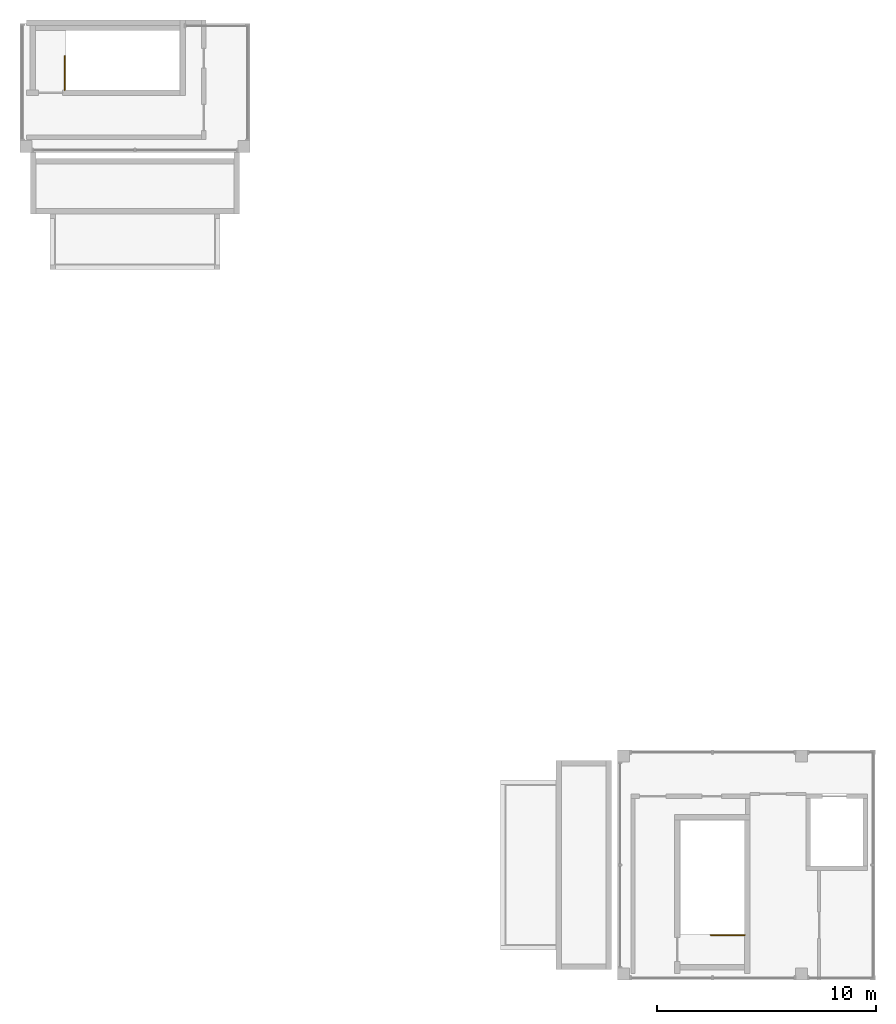
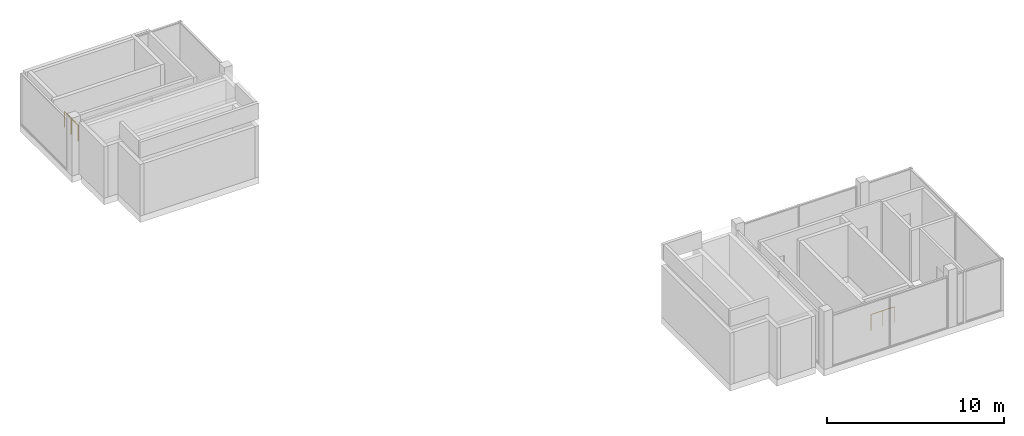
# One storey, part 6 of 6: 2 railings.
"""IFC4 building model written with IfcOpenShell, lengths in metres."""

import ifcopenshell
import ifcopenshell.guid

model = None  # the IFC model being written
_history = None  # IfcOwnerHistory: only IFC2X3 demands one
_inside = {}  # id of a spatial element -> (the spatial element, [elements in it])
_under = {}  # id of a project, library or spatial element -> (it, [spatial elements below it])
_declared = {}  # id of a project -> (the project, [libraries it declares])
_typed = {}  # id of a type object -> (the type object, [elements of that type])
_made_of = {}  # id of a material, layer set ... -> (it, [elements and type objects made of it])


def new_model(schema):
    """Start an empty IFC model of exactly this schema.

    Asked for "IFC4X3", IfcOpenShell would pick the latest addendum, in which some entities
    have other attributes; the version numbers below select the first issue.
    IFC2X3 requires an IfcOwnerHistory on every rooted entity: one is made here for all.
    """
    global model, _history
    if schema == "IFC4X3":
        model = ifcopenshell.file(schema_version=(4, 3, 0, 0))
    else:
        model = ifcopenshell.file(schema=schema)
    _inside.clear()
    _under.clear()
    _declared.clear()
    _typed.clear()
    _made_of.clear()
    _history = None
    if model.schema == "IFC2X3":
        org = make("IfcOrganization", Name="unknown")
        user = make(
            "IfcPersonAndOrganization",
            ThePerson=make("IfcPerson", FamilyName="unknown"),
            TheOrganization=org,
        )
        app = make(
            "IfcApplication",
            ApplicationDeveloper=org,
            Version="unknown",
            ApplicationFullName="unknown",
            ApplicationIdentifier="unknown",
        )
        _history = make(
            "IfcOwnerHistory",
            OwningUser=user,
            OwningApplication=app,
            ChangeAction="ADDED",
            CreationDate=0,
        )
    return model


def make(cls, **values):
    """One entity of the class cls with the attributes given. An attribute that is None is left unset."""
    return model.create_entity(
        cls, **{name: value for name, value in values.items() if value is not None}
    )


def rooted(cls, **values):
    """An entity with a GlobalId (a new one), such as an element, a storey or a relation."""
    return make(cls, GlobalId=ifcopenshell.guid.new(), OwnerHistory=_history, **values)


def si_unit(unit_type, name, prefix=None):
    """IfcSIUnit, for example si_unit("LENGTHUNIT", "METRE", prefix="MILLI")."""
    return make("IfcSIUnit", UnitType=unit_type, Prefix=prefix, Name=name)


def assignment(units):
    """IfcUnitAssignment: the units of a project."""
    return None if units is None else make("IfcUnitAssignment", Units=units)


def point(xyz):
    """IfcCartesianPoint."""
    return None if xyz is None else make("IfcCartesianPoint", Coordinates=xyz)


def direction(xyz):
    """IfcDirection."""
    return None if xyz is None else make("IfcDirection", DirectionRatios=xyz)


def frame(location, z_axis=None, x_axis=None):
    """IfcAxis2Placement3D, a coordinate frame: its origin and axes. An axis left out is left unset."""
    return make(
        "IfcAxis2Placement3D",
        Location=point(location),
        Axis=direction(z_axis),
        RefDirection=direction(x_axis),
    )


def frame_2d(location, x_axis=None):
    """IfcAxis2Placement2D, a coordinate frame in the plane: its origin and x axis."""
    return make(
        "IfcAxis2Placement2D", Location=point(location), RefDirection=direction(x_axis)
    )


def origin():
    """The frame at (0, 0, 0) with its axes left unset."""
    return frame((0.0, 0.0, 0.0))


def origin_2d():
    """The frame at (0, 0) in the plane with its x axis left unset."""
    return frame_2d((0.0, 0.0))


def place(relative_to, where):
    """IfcLocalPlacement: puts the frame where relative to a parent placement (None: the world)."""
    return make(
        "IfcLocalPlacement", PlacementRelTo=relative_to, RelativePlacement=where
    )


def context(
    kind, dimensions, precision=None, world=None, true_north=None, identifier=None
):
    """IfcGeometricRepresentationContext, for example the 3D "Model" context."""
    return make(
        "IfcGeometricRepresentationContext",
        ContextIdentifier=identifier,
        ContextType=kind,
        CoordinateSpaceDimension=dimensions,
        Precision=precision,
        WorldCoordinateSystem=world,
        TrueNorth=true_north,
    )


def subcontext(parent, identifier, kind, view, scale=None):
    """IfcGeometricRepresentationSubContext, for example "Body" below "Model"."""
    return make(
        "IfcGeometricRepresentationSubContext",
        ContextIdentifier=identifier,
        ContextType=kind,
        ParentContext=parent,
        TargetScale=scale,
        TargetView=view,
    )


def project(units=None, contexts=None):
    """IfcProject with its units and contexts."""
    return rooted(
        "IfcProject",
        Name="project",
        RepresentationContexts=contexts,
        UnitsInContext=assignment(units),
    )


def spatial(cls, under=None, at=None, **own):
    """A site, building, storey or space (cls), placed at a placement, below another one or the project."""
    s = rooted(cls, ObjectPlacement=at, **own)
    if under is not None:
        _under.setdefault(under.id(), (under, []))[1].append(s)
    return s


def profile(cls, at=None, kind="AREA", **sizes):
    """A parametric profile (cls). Its sizes go by their IFC names, for example OverallWidth=200.0."""
    return make(cls, ProfileType=kind, Position=at, **sizes)


def circle(**sizes):
    """IfcCircleProfileDef."""
    return profile("IfcCircleProfileDef", **sizes)


def extrude(swept, where, along, depth):
    """IfcExtrudedAreaSolid: the profile swept, set in the frame where, extruded along a direction by depth."""
    return make(
        "IfcExtrudedAreaSolid",
        SweptArea=swept,
        Position=where,
        ExtrudedDirection=direction(along),
        Depth=depth,
    )


def shape(context_of_items, identifier, shape_type, items):
    """IfcShapeRepresentation: the items that make up one representation, for example the "Body"."""
    return make(
        "IfcShapeRepresentation",
        ContextOfItems=context_of_items,
        RepresentationIdentifier=identifier,
        RepresentationType=shape_type,
        Items=items,
    )


def source(mapping_origin, context_of_items, identifier, shape_type, items):
    """IfcRepresentationMap: a shape defined once, which mapped items show again and again."""
    return make(
        "IfcRepresentationMap",
        MappingOrigin=mapping_origin,
        MappedRepresentation=shape(context_of_items, identifier, shape_type, items),
    )


def transform(
    local_origin,
    x_axis=None,
    y_axis=None,
    z_axis=None,
    scale=None,
    scale2=None,
    scale3=None,
    uniform=True,
):
    """IfcCartesianTransformationOperator3D, or its non-uniform kind. x_axis, y_axis, z_axis: its Axis1, 2, 3."""
    if uniform:
        return make(
            "IfcCartesianTransformationOperator3D",
            Axis1=direction(x_axis),
            Axis2=direction(y_axis),
            LocalOrigin=point(local_origin),
            Scale=scale,
            Axis3=direction(z_axis),
        )
    return make(
        "IfcCartesianTransformationOperator3DnonUniform",
        Axis1=direction(x_axis),
        Axis2=direction(y_axis),
        LocalOrigin=point(local_origin),
        Scale=scale,
        Axis3=direction(z_axis),
        Scale2=scale2,
        Scale3=scale3,
    )


def mapped(mapping_source, mapping_target):
    """IfcMappedItem: shows the shape of a source again, moved by a transform."""
    return make(
        "IfcMappedItem", MappingSource=mapping_source, MappingTarget=mapping_target
    )


def material(Name=None, Category=None):
    """IfcMaterial."""
    return make("IfcMaterial", Name=Name, Category=Category)


def made_of(thing, what):
    """Note that an element or type object is made of a material, layer set ...; save() writes the relation."""
    if what is not None:
        _made_of.setdefault(what.id(), (what, []))[1].append(thing)
    return thing


def type_object(cls, material=None, **own):
    """A type object (cls), such as IfcWallType, which elements share."""
    return made_of(rooted(cls, **own), material)


def element(
    cls,
    number,
    at=None,
    inside=None,
    cuts=None,
    type_object=None,
    material=None,
    context=None,
    identifier="Body",
    shape_type=None,
    held_by="IfcProductDefinitionShape",
    body=None,
    shapes=None,
    **own,
):
    """One element of the class cls, such as IfcWall. Its Tag is "e" and its number.

    at: its placement. inside: the storey or other place that contains it. cuts: it is an
    opening in that element (IfcRelVoidsElement). A single representation is given by context,
    identifier, shape_type and body (its items); several are given by shapes. held_by: the class
    of the entity that holds the representations. save() writes the other relations.
    """
    e = rooted(cls, Tag="e%d" % number, ObjectPlacement=at, **own)
    if body is not None:
        shapes = [shape(context, identifier, shape_type, body)]
    if shapes is not None:
        e.Representation = make(held_by, Representations=shapes)
    if inside is not None:
        _inside.setdefault(inside.id(), (inside, []))[1].append(e)
    if cuts is not None:
        rooted(
            "IfcRelVoidsElement", RelatingBuildingElement=cuts, RelatedOpeningElement=e
        )
    if type_object is not None:
        _typed.setdefault(type_object.id(), (type_object, []))[1].append(e)
    return made_of(e, material)


def aggregate(whole, parts):
    """IfcRelAggregates: a whole, such as a stair, and the parts it consists of."""
    return rooted("IfcRelAggregates", RelatingObject=whole, RelatedObjects=parts)


def save(model, path):
    """Write the relations noted so far, then the file.

    IfcRelAggregates (storeys below a building ...), IfcRelContainedInSpatialStructure (elements
    in a storey), IfcRelDefinesByType, IfcRelAssociatesMaterial and IfcRelDeclares: one each for
    every whole, place, type object, material and project.
    """
    for whole, parts in _under.values():
        aggregate(whole, parts)
    for where, things in _inside.values():
        rooted(
            "IfcRelContainedInSpatialStructure",
            RelatedElements=things,
            RelatingStructure=where,
        )
    for kind, things in _typed.values():
        rooted("IfcRelDefinesByType", RelatedObjects=things, RelatingType=kind)
    for what, things in _made_of.values():
        rooted("IfcRelAssociatesMaterial", RelatedObjects=things, RelatingMaterial=what)
    for by, libraries in _declared.values():
        rooted("IfcRelDeclares", RelatingContext=by, RelatedDefinitions=libraries)
    model.write(path)


model = new_model("IFC4")

# Units and contexts
model_context = context("Model", 3, precision=1e-05, world=origin(), true_north=direction((0.0, 1.0)))
body_context = subcontext(model_context, "Body", "Model", "MODEL_VIEW")
ifc_project = project(units=[si_unit("LENGTHUNIT", "METRE"), si_unit("AREAUNIT", "SQUARE_METRE"), si_unit("VOLUMEUNIT", "CUBIC_METRE"), si_unit("PLANEANGLEUNIT", "RADIAN"), si_unit("MASSUNIT", "GRAM", prefix="KILO")], contexts=[model_context])

# Site, building, storey
site_placement = place(None, origin())
site = spatial("IfcSite", under=ifc_project, at=site_placement, CompositionType="ELEMENT")
building_placement = place(site_placement, origin())
building = spatial("IfcBuilding", under=site, at=building_placement, Name="Aurelian Terraces", CompositionType="ELEMENT")
storey_placement = place(building_placement, frame((0.0, 0.0, 380.5)))
storey = spatial("IfcBuildingStorey", under=building, at=storey_placement, Name="L91", CompositionType="ELEMENT", Elevation=380.5)

# Railings
ifc_material = material(Name="Stainless steel", Category="steel")
railing_type = type_object("IfcRailingType", Name="Stair guard 1100", PredefinedType="GUARDRAIL", material=ifc_material)
shared_shape_1 = source(origin(), body_context, "Body", "SweptSolid", [
    extrude(circle(Radius=0.024, at=origin_2d()), frame((0.0, 0.0, 1.076), z_axis=(-1.0, 0.0, 0.0), x_axis=(0.0, -1.0, 0.0)), (0.0, 0.0, 1.0), 1.55),
    extrude(circle(Radius=0.021, at=origin_2d()), origin(), (0.0, 0.0, 1.0), 1.052),
    extrude(circle(Radius=0.021, at=origin_2d()), frame((-0.775, 0.0, 0.0)), (0.0, 0.0, 1.0), 1.052),
    extrude(circle(Radius=0.021, at=origin_2d()), frame((-1.55, 0.0, 0.0)), (0.0, 0.0, 1.0), 1.052),
])
railing_1_placement = place(storey_placement, frame((43.6, 2.05, 0.0)))
element("IfcRailing", 1, at=railing_1_placement, inside=storey, type_object=railing_type, Name="L91 S2 top well guard 1", PredefinedType="GUARDRAIL", context=body_context, shape_type="MappedRepresentation", body=[
    mapped(shared_shape_1, transform((0.0, 0.0, 0.0), scale=1.0)),
])
shared_shape_2 = source(origin(), body_context, "Body", "SweptSolid", [
    extrude(circle(Radius=0.024, at=origin_2d()), frame((0.0, 0.0, 1.076), z_axis=(0.0, 1.0, 0.0), x_axis=(-1.0, 0.0, 0.0)), (0.0, 0.0, 1.0), 1.55),
    extrude(circle(Radius=0.021, at=origin_2d()), origin(), (0.0, 0.0, 1.0), 1.052),
    extrude(circle(Radius=0.021, at=origin_2d()), frame((0.0, 0.775, 0.0)), (0.0, 0.0, 1.0), 1.052),
    extrude(circle(Radius=0.021, at=origin_2d()), frame((0.0, 1.55, 0.0)), (0.0, 0.0, 1.0), 1.052),
])
railing_2_placement = place(storey_placement, frame((12.55, 40.65, 0.0)))
element("IfcRailing", 2, at=railing_2_placement, inside=storey, type_object=railing_type, Name="L91 S3U top well guard 1", PredefinedType="GUARDRAIL", context=body_context, shape_type="MappedRepresentation", body=[
    mapped(shared_shape_2, transform((0.0, 0.0, 0.0), scale=1.0)),
])

save(model, "model.ifc")
